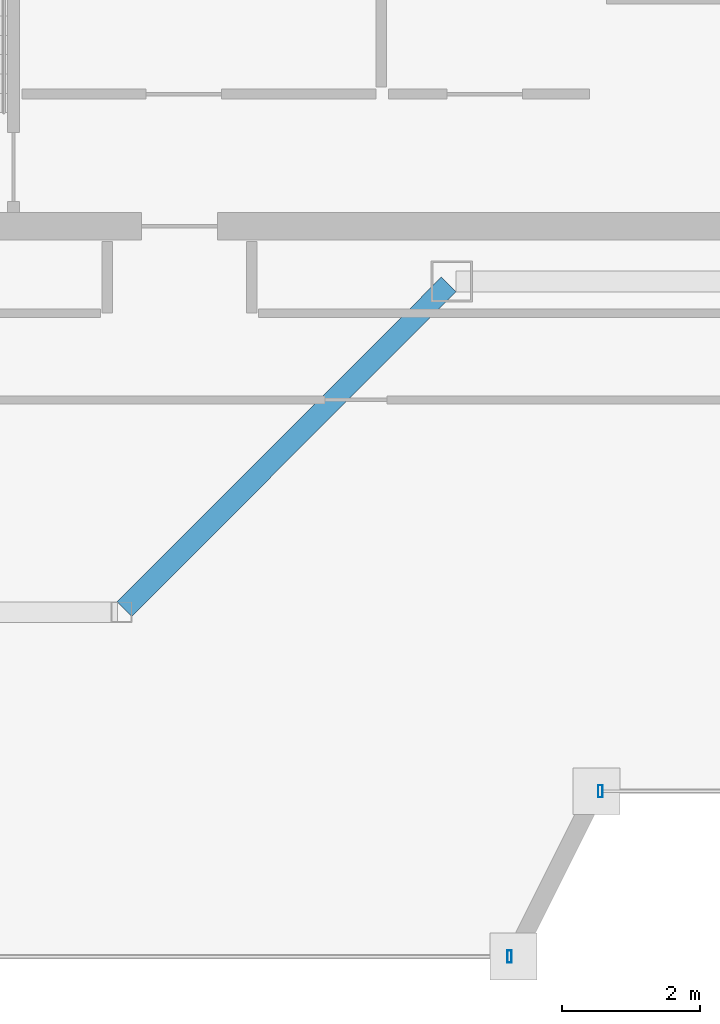
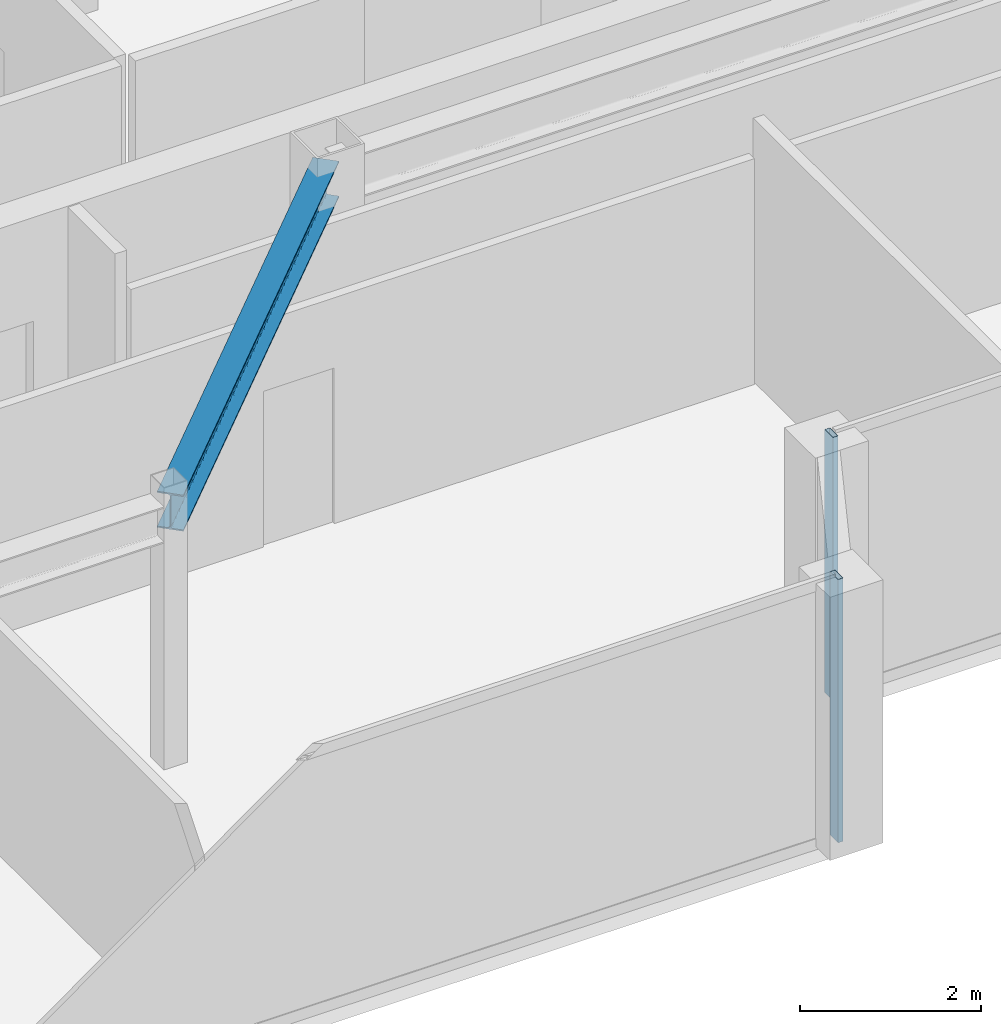
# One storey, part 6 of 23: 2 members, 1 beam, 2 elements without a shape of their own.
"""IFC4 building model written with IfcOpenShell, lengths in metres."""

from ifc_helpers import new_model, si_unit, direction, frame, origin, origin_2d, place, context, subcontext, project, spatial, hollow_rectangle, i_section, extrude, material, material_profile, profile_set, type_object, element, aggregate, save


model = new_model("IFC4")

# Units and contexts
model_context = context("Model", 3, precision=1e-05, world=origin(), true_north=direction((0.0, 1.0)))
body_context = subcontext(model_context, "Body", "Model", "MODEL_VIEW")
ifc_project = project(units=[si_unit("LENGTHUNIT", "METRE"), si_unit("AREAUNIT", "SQUARE_METRE"), si_unit("VOLUMEUNIT", "CUBIC_METRE"), si_unit("PLANEANGLEUNIT", "RADIAN"), si_unit("MASSUNIT", "GRAM", prefix="KILO")], contexts=[model_context])

# Site, building, storey
site_placement = place(None, origin())
site = spatial("IfcSite", under=ifc_project, at=site_placement, CompositionType="ELEMENT")
building_placement = place(site_placement, origin())
building = spatial("IfcBuilding", under=site, at=building_placement, Name="Saevonmaru Cultural Tower", CompositionType="ELEMENT")
storey_placement = place(building_placement, frame((0.0, 0.0, 302.800048828125)))
storey = spatial("IfcBuildingStorey", under=building, at=storey_placement, Name="L72", CompositionType="ELEMENT", Elevation=302.800048828125)

# Beam
ifc_material_1 = material(Name="Steel SM355", Category="steel")
ifc_material_profile_1 = material_profile(ifc_material_1, i_section(OverallWidth=0.300048828125, OverallDepth=0.488037109375, WebThickness=0.010986328125, FlangeThickness=0.01806640625, FilletRadius=0.02197265625, at=origin_2d()), Name="H-488x300x11x18")
ifc_profile_set_1 = profile_set([ifc_material_profile_1], Name="Steel SM355")
beam_type = type_object("IfcBeamType", Name="BM-G-H488", PredefinedType="BEAM", material=ifc_profile_set_1)
beam_placement = place(storey_placement, frame((18.850341796875, 37.642578125, 3.305908203125), z_axis=(0.706538566564, 0.707674539572, 0.0), x_axis=(-0.707674539572, 0.706538566564, 0.0)))
element("IfcBeam", 1, at=beam_placement, inside=storey, type_object=beam_type, Name="L72 West Atrium Girder 1", PredefinedType="BEAM", context=body_context, shape_type="SweptSolid", body=[
    extrude(i_section(OverallWidth=0.300048828125, OverallDepth=0.488037109375, WebThickness=0.010986328125, FlangeThickness=0.01806640625, FilletRadius=0.02197265625, at=origin_2d()), origin(), (0.0, 0.0, 1.0), 6.662353515625),
])

# Curtain wall, member
ifc_material_2 = material(Name="Satin Bronze Anodised Aluminium", Category="aluminium")
curtain_wall_type = type_object("IfcCurtainWallType", Name="CW-TYP-B", PredefinedType="NOTDEFINED", material=ifc_material_2)
curtain_wall_1_placement = place(storey_placement, origin())
curtain_wall_1 = element("IfcCurtainWall", 2, at=curtain_wall_1_placement, inside=storey, type_object=curtain_wall_type, Name="L72 Unitised Curtain Wall E2", PredefinedType="NOTDEFINED")
ifc_material_profile_2 = material_profile(ifc_material_2, hollow_rectangle(XDim=0.06494140625, YDim=0.179931640625, WallThickness=0.00390625, at=origin_2d()), Name="ALU-MULL-180x65x4")
ifc_profile_set_2 = profile_set([ifc_material_profile_2], Name="Satin Bronze Anodised Aluminium")
member_type = type_object("IfcMemberType", Name="ML-CW-180x65", PredefinedType="MULLION", material=ifc_profile_set_2)
member_1_placement = place(storey_placement, frame((24.43994140625, 32.60009765625, 0.0), z_axis=(0.0, 0.0, 1.0), x_axis=(1.0, 0.0, 0.0)))
member_1 = element("IfcMember", 3, at=member_1_placement, type_object=member_type, Name="CW-TW-L72-E2 mullion 2", PredefinedType="MULLION", context=body_context, shape_type="SweptSolid", body=[
    extrude(hollow_rectangle(XDim=0.06494140625, YDim=0.179931640625, WallThickness=0.00390625, at=origin_2d()), origin(), (0.0, 0.0, 1.0), 3.550048828125),
])
aggregate(curtain_wall_1, [member_1])

curtain_wall_2_placement = place(storey_placement, origin())
curtain_wall_2 = element("IfcCurtainWall", 4, at=curtain_wall_2_placement, inside=storey, type_object=curtain_wall_type, Name="L72 Unitised Curtain Wall E4", PredefinedType="NOTDEFINED")
member_2_placement = place(storey_placement, frame((25.760009765625, 35.0, 0.0), z_axis=(0.0, 0.0, 1.0), x_axis=(1.0, 0.0, 0.0)))
member_2 = element("IfcMember", 5, at=member_2_placement, type_object=member_type, Name="CW-TW-L72-E4 mullion 1", PredefinedType="MULLION", context=body_context, shape_type="SweptSolid", body=[
    extrude(hollow_rectangle(XDim=0.06494140625, YDim=0.179931640625, WallThickness=0.00390625, at=origin_2d()), origin(), (0.0, 0.0, 1.0), 3.550048828125),
])
aggregate(curtain_wall_2, [member_2])

save(model, "model.ifc")
